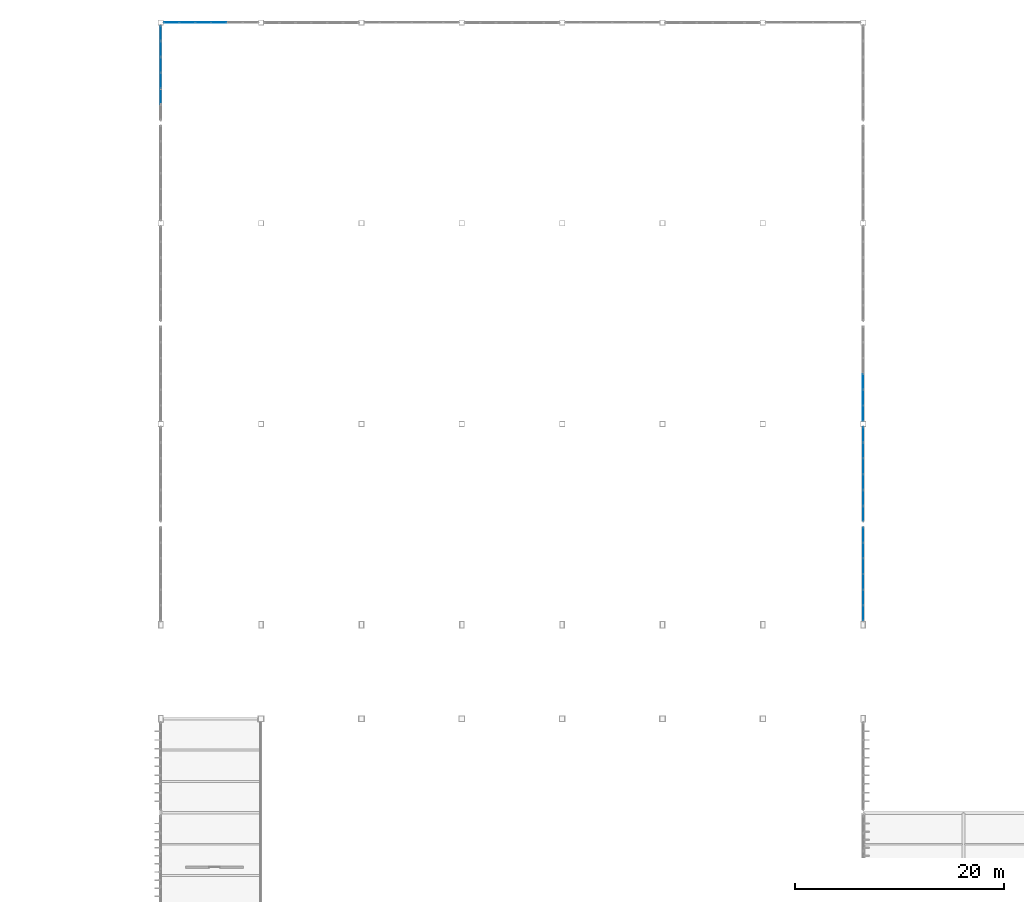
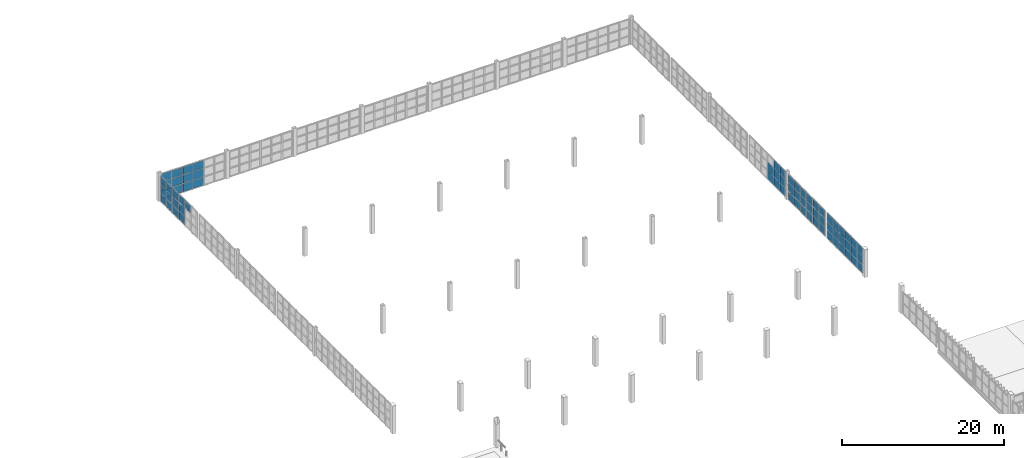
# One storey, part 56 of 82: 69 plates, 5 elements without a shape of their own.
"""IFC4 building model written with IfcOpenShell, lengths in metres."""

from ifc_helpers import new_model, si_unit, direction, frame, origin, origin_2d, place, context, subcontext, project, spatial, rectangle, extrude, material, layer, layer_set, type_object, element, aggregate, save


model = new_model("IFC4")

# Units and contexts
model_context = context("Model", 3, precision=1e-05, world=origin(), true_north=direction((0.0, 1.0)))
body_context = subcontext(model_context, "Body", "Model", "MODEL_VIEW")
ifc_project = project(units=[si_unit("LENGTHUNIT", "METRE"), si_unit("AREAUNIT", "SQUARE_METRE"), si_unit("VOLUMEUNIT", "CUBIC_METRE"), si_unit("PLANEANGLEUNIT", "RADIAN"), si_unit("MASSUNIT", "GRAM", prefix="KILO")], contexts=[model_context])

# Site, building, storey
site_placement = place(None, origin())
site = spatial("IfcSite", under=ifc_project, at=site_placement, CompositionType="ELEMENT")
building_placement = place(site_placement, origin())
building = spatial("IfcBuilding", under=site, at=building_placement, Name="Zarnetskaya Central Station", CompositionType="ELEMENT")
storey_placement = place(building_placement, frame((0.0, 0.0, 10.199951171875)))
storey = spatial("IfcBuildingStorey", under=building, at=storey_placement, Name="L02", CompositionType="ELEMENT", Elevation=10.199951171875)

# Curtain wall, plates
ifc_material = material(Name="Low-E insulated glass", Category="glass")
ifc_layer_1 = layer(ifc_material, 0.1640625, Name="Low-E insulated glass", Category="glass")
ifc_layer_set_1 = layer_set([ifc_layer_1], Name="Low-E insulated glass")
curtain_wall_type = type_object("IfcCurtainWallType", Name="CW-SYS-12", PredefinedType="USERDEFINED", material=ifc_layer_set_1)
curtain_wall_1_placement = place(storey_placement, origin())
curtain_wall_1 = element("IfcCurtainWall", 1, at=curtain_wall_1_placement, inside=storey, type_object=curtain_wall_type, Name="Curtain wall CW-L02-180", ObjectType="CURTAIN WALL", PredefinedType="USERDEFINED")
ifc_layer_2 = layer(ifc_material, 0.028076171875, Name="Low-E insulated glass", Category="glass")
ifc_layer_set_2 = layer_set([ifc_layer_2], Name="Low-E insulated glass")
plate_type_1 = type_object("IfcPlateType", Name="CW-PAN-28", PredefinedType="CURTAIN_PANEL", material=ifc_layer_set_2)
plate_1_placement = place(storey_placement, frame((124.800048828125, 85.37158203125, 0.080078125), z_axis=(0.0, 0.0, 1.0), x_axis=(0.0, -1.0, 0.0)))
plate_1 = element("IfcPlate", 2, at=plate_1_placement, type_object=plate_type_1, Name="CW-18 panel 1.1", PredefinedType="CURTAIN_PANEL", context=body_context, shape_type="SweptSolid", body=[
    extrude(rectangle(XDim=1.396728515625, YDim=0.028076171875, at=origin_2d()), origin(), (0.0, 0.0, 1.0), 1.2060546875),
])
plate_2_placement = place(storey_placement, frame((124.800048828125, 85.37158203125, 1.365966796875), z_axis=(0.0, 0.0, 1.0), x_axis=(0.0, -1.0, 0.0)))
plate_2 = element("IfcPlate", 3, at=plate_2_placement, type_object=plate_type_1, Name="CW-18 panel 1.2", PredefinedType="CURTAIN_PANEL", context=body_context, shape_type="SweptSolid", body=[
    extrude(rectangle(XDim=1.396728515625, YDim=0.028076171875, at=origin_2d()), origin(), (0.0, 0.0, 1.0), 1.24609375),
])
plate_3_placement = place(storey_placement, frame((124.800048828125, 85.37158203125, 2.692138671875), z_axis=(0.0, 0.0, 1.0), x_axis=(0.0, -1.0, 0.0)))
plate_3 = element("IfcPlate", 4, at=plate_3_placement, type_object=plate_type_1, Name="CW-18 panel 1.3", PredefinedType="CURTAIN_PANEL", context=body_context, shape_type="SweptSolid", body=[
    extrude(rectangle(XDim=1.396728515625, YDim=0.028076171875, at=origin_2d()), origin(), (0.0, 0.0, 1.0), 1.1279296875),
])
plate_4_placement = place(storey_placement, frame((124.800048828125, 83.875, 0.080078125), z_axis=(0.0, 0.0, 1.0), x_axis=(0.0, -1.0, 0.0)))
plate_4 = element("IfcPlate", 5, at=plate_4_placement, type_object=plate_type_1, Name="CW-18 panel 2.1", PredefinedType="CURTAIN_PANEL", context=body_context, shape_type="SweptSolid", body=[
    extrude(rectangle(XDim=1.436767578125, YDim=0.028076171875, at=origin_2d()), origin(), (0.0, 0.0, 1.0), 1.2060546875),
])
plate_5_placement = place(storey_placement, frame((124.800048828125, 83.875, 1.365966796875), z_axis=(0.0, 0.0, 1.0), x_axis=(0.0, -1.0, 0.0)))
plate_5 = element("IfcPlate", 6, at=plate_5_placement, type_object=plate_type_1, Name="CW-18 panel 2.2", PredefinedType="CURTAIN_PANEL", context=body_context, shape_type="SweptSolid", body=[
    extrude(rectangle(XDim=1.436767578125, YDim=0.028076171875, at=origin_2d()), origin(), (0.0, 0.0, 1.0), 1.24609375),
])
plate_6_placement = place(storey_placement, frame((124.800048828125, 83.875, 2.692138671875), z_axis=(0.0, 0.0, 1.0), x_axis=(0.0, -1.0, 0.0)))
plate_6 = element("IfcPlate", 7, at=plate_6_placement, type_object=plate_type_1, Name="CW-18 panel 2.3", PredefinedType="CURTAIN_PANEL", context=body_context, shape_type="SweptSolid", body=[
    extrude(rectangle(XDim=1.436767578125, YDim=0.028076171875, at=origin_2d()), origin(), (0.0, 0.0, 1.0), 1.1279296875),
])
plate_7_placement = place(storey_placement, frame((124.800048828125, 82.3583984375, 0.080078125), z_axis=(0.0, 0.0, 1.0), x_axis=(0.0, -1.0, 0.0)))
plate_7 = element("IfcPlate", 8, at=plate_7_placement, type_object=plate_type_1, Name="CW-18 panel 3.1", PredefinedType="CURTAIN_PANEL", context=body_context, shape_type="SweptSolid", body=[
    extrude(rectangle(XDim=1.436767578125, YDim=0.028076171875, at=origin_2d()), origin(), (0.0, 0.0, 1.0), 1.2060546875),
])
plate_8_placement = place(storey_placement, frame((124.800048828125, 82.3583984375, 1.365966796875), z_axis=(0.0, 0.0, 1.0), x_axis=(0.0, -1.0, 0.0)))
plate_8 = element("IfcPlate", 9, at=plate_8_placement, type_object=plate_type_1, Name="CW-18 panel 3.2", PredefinedType="CURTAIN_PANEL", context=body_context, shape_type="SweptSolid", body=[
    extrude(rectangle(XDim=1.436767578125, YDim=0.028076171875, at=origin_2d()), origin(), (0.0, 0.0, 1.0), 1.24609375),
])
plate_9_placement = place(storey_placement, frame((124.800048828125, 82.3583984375, 2.692138671875), z_axis=(0.0, 0.0, 1.0), x_axis=(0.0, -1.0, 0.0)))
plate_9 = element("IfcPlate", 10, at=plate_9_placement, type_object=plate_type_1, Name="CW-18 panel 3.3", PredefinedType="CURTAIN_PANEL", context=body_context, shape_type="SweptSolid", body=[
    extrude(rectangle(XDim=1.436767578125, YDim=0.028076171875, at=origin_2d()), origin(), (0.0, 0.0, 1.0), 1.1279296875),
])
plate_10_placement = place(storey_placement, frame((124.800048828125, 80.841552734375, 0.080078125), z_axis=(0.0, 0.0, 1.0), x_axis=(0.0, -1.0, 0.0)))
plate_10 = element("IfcPlate", 11, at=plate_10_placement, type_object=plate_type_1, Name="CW-18 panel 4.1", PredefinedType="CURTAIN_PANEL", context=body_context, shape_type="SweptSolid", body=[
    extrude(rectangle(XDim=1.436767578125, YDim=0.028076171875, at=origin_2d()), origin(), (0.0, 0.0, 1.0), 1.2060546875),
])
plate_11_placement = place(storey_placement, frame((124.800048828125, 80.841552734375, 1.365966796875), z_axis=(0.0, 0.0, 1.0), x_axis=(0.0, -1.0, 0.0)))
plate_11 = element("IfcPlate", 12, at=plate_11_placement, type_object=plate_type_1, Name="CW-18 panel 4.2", PredefinedType="CURTAIN_PANEL", context=body_context, shape_type="SweptSolid", body=[
    extrude(rectangle(XDim=1.436767578125, YDim=0.028076171875, at=origin_2d()), origin(), (0.0, 0.0, 1.0), 1.24609375),
])
plate_12_placement = place(storey_placement, frame((124.800048828125, 80.841552734375, 2.692138671875), z_axis=(0.0, 0.0, 1.0), x_axis=(0.0, -1.0, 0.0)))
plate_12 = element("IfcPlate", 13, at=plate_12_placement, type_object=plate_type_1, Name="CW-18 panel 4.3", PredefinedType="CURTAIN_PANEL", context=body_context, shape_type="SweptSolid", body=[
    extrude(rectangle(XDim=1.436767578125, YDim=0.028076171875, at=origin_2d()), origin(), (0.0, 0.0, 1.0), 1.1279296875),
])
plate_13_placement = place(storey_placement, frame((124.800048828125, 79.324951171875, 0.080078125), z_axis=(0.0, 0.0, 1.0), x_axis=(0.0, -1.0, 0.0)))
plate_13 = element("IfcPlate", 14, at=plate_13_placement, type_object=plate_type_1, Name="CW-18 panel 5.1", PredefinedType="CURTAIN_PANEL", context=body_context, shape_type="SweptSolid", body=[
    extrude(rectangle(XDim=1.436767578125, YDim=0.028076171875, at=origin_2d()), origin(), (0.0, 0.0, 1.0), 1.2060546875),
])
plate_14_placement = place(storey_placement, frame((124.800048828125, 79.324951171875, 1.365966796875), z_axis=(0.0, 0.0, 1.0), x_axis=(0.0, -1.0, 0.0)))
plate_14 = element("IfcPlate", 15, at=plate_14_placement, type_object=plate_type_1, Name="CW-18 panel 5.2", PredefinedType="CURTAIN_PANEL", context=body_context, shape_type="SweptSolid", body=[
    extrude(rectangle(XDim=1.436767578125, YDim=0.028076171875, at=origin_2d()), origin(), (0.0, 0.0, 1.0), 1.24609375),
])
plate_15_placement = place(storey_placement, frame((124.800048828125, 79.324951171875, 2.692138671875), z_axis=(0.0, 0.0, 1.0), x_axis=(0.0, -1.0, 0.0)))
plate_15 = element("IfcPlate", 16, at=plate_15_placement, type_object=plate_type_1, Name="CW-18 panel 5.3", PredefinedType="CURTAIN_PANEL", context=body_context, shape_type="SweptSolid", body=[
    extrude(rectangle(XDim=1.436767578125, YDim=0.028076171875, at=origin_2d()), origin(), (0.0, 0.0, 1.0), 1.1279296875),
])
plate_16_placement = place(storey_placement, frame((124.800048828125, 77.828369140625, 0.080078125), z_axis=(0.0, 0.0, 1.0), x_axis=(0.0, -1.0, 0.0)))
plate_16 = element("IfcPlate", 17, at=plate_16_placement, type_object=plate_type_1, Name="CW-18 panel 6.1", PredefinedType="CURTAIN_PANEL", context=body_context, shape_type="SweptSolid", body=[
    extrude(rectangle(XDim=1.396728515625, YDim=0.028076171875, at=origin_2d()), origin(), (0.0, 0.0, 1.0), 1.2060546875),
])
plate_17_placement = place(storey_placement, frame((124.800048828125, 77.828369140625, 1.365966796875), z_axis=(0.0, 0.0, 1.0), x_axis=(0.0, -1.0, 0.0)))
plate_17 = element("IfcPlate", 18, at=plate_17_placement, type_object=plate_type_1, Name="CW-18 panel 6.2", PredefinedType="CURTAIN_PANEL", context=body_context, shape_type="SweptSolid", body=[
    extrude(rectangle(XDim=1.396728515625, YDim=0.028076171875, at=origin_2d()), origin(), (0.0, 0.0, 1.0), 1.24609375),
])
plate_18_placement = place(storey_placement, frame((124.800048828125, 77.828369140625, 2.692138671875), z_axis=(0.0, 0.0, 1.0), x_axis=(0.0, -1.0, 0.0)))
plate_18 = element("IfcPlate", 19, at=plate_18_placement, type_object=plate_type_1, Name="CW-18 panel 6.3", PredefinedType="CURTAIN_PANEL", context=body_context, shape_type="SweptSolid", body=[
    extrude(rectangle(XDim=1.396728515625, YDim=0.028076171875, at=origin_2d()), origin(), (0.0, 0.0, 1.0), 1.1279296875),
])
aggregate(curtain_wall_1, [plate_1, plate_2, plate_3, plate_4, plate_5, plate_6, plate_7, plate_8, plate_9, plate_10, plate_11, plate_12, plate_13, plate_14, plate_15, plate_16, plate_17, plate_18])

curtain_wall_2_placement = place(storey_placement, origin())
curtain_wall_2 = element("IfcCurtainWall", 20, at=curtain_wall_2_placement, inside=storey, type_object=curtain_wall_type, Name="Curtain wall CW-L02-181", ObjectType="CURTAIN WALL", PredefinedType="USERDEFINED")
ifc_layer_3 = layer(ifc_material, 0.031982421875, Name="Low-E insulated glass", Category="glass")
ifc_layer_set_3 = layer_set([ifc_layer_3], Name="Low-E insulated glass")
plate_type_2 = type_object("IfcPlateType", Name="CW-PAN-32", PredefinedType="CURTAIN_PANEL", material=ifc_layer_set_3)
plate_19_placement = place(storey_placement, frame((124.800048828125, 75.782470703125, 0.0703125), z_axis=(0.0, 0.0, 1.0), x_axis=(0.0, -1.0, 0.0)))
plate_19 = element("IfcPlate", 21, at=plate_19_placement, type_object=plate_type_2, Name="CW-18 panel 1.1", PredefinedType="CURTAIN_PANEL", context=body_context, shape_type="SweptSolid", body=[
    extrude(rectangle(XDim=1.39501953125, YDim=0.031982421875, at=origin_2d()), origin(), (0.0, 0.0, 1.0), 1.220947265625),
])
plate_20_placement = place(storey_placement, frame((124.800048828125, 75.782470703125, 1.36083984375), z_axis=(0.0, 0.0, 1.0), x_axis=(0.0, -1.0, 0.0)))
plate_20 = element("IfcPlate", 22, at=plate_20_placement, type_object=plate_type_2, Name="CW-18 panel 1.2", PredefinedType="CURTAIN_PANEL", context=body_context, shape_type="SweptSolid", body=[
    extrude(rectangle(XDim=1.39501953125, YDim=0.031982421875, at=origin_2d()), origin(), (0.0, 0.0, 1.0), 1.256103515625),
])
plate_21_placement = place(storey_placement, frame((124.800048828125, 75.782470703125, 2.68701171875), z_axis=(0.0, 0.0, 1.0), x_axis=(0.0, -1.0, 0.0)))
plate_21 = element("IfcPlate", 23, at=plate_21_placement, type_object=plate_type_2, Name="CW-18 panel 1.3", PredefinedType="CURTAIN_PANEL", context=body_context, shape_type="SweptSolid", body=[
    extrude(rectangle(XDim=1.39501953125, YDim=0.031982421875, at=origin_2d()), origin(), (0.0, 0.0, 1.0), 1.14306640625),
])
plate_22_placement = place(storey_placement, frame((124.800048828125, 74.300048828125, 0.0703125), z_axis=(0.0, 0.0, 1.0), x_axis=(0.0, -1.0, 0.0)))
plate_22 = element("IfcPlate", 24, at=plate_22_placement, type_object=plate_type_2, Name="CW-18 panel 2.1", PredefinedType="CURTAIN_PANEL", context=body_context, shape_type="SweptSolid", body=[
    extrude(rectangle(XDim=1.429931640625, YDim=0.031982421875, at=origin_2d()), origin(), (0.0, 0.0, 1.0), 1.220947265625),
])
plate_23_placement = place(storey_placement, frame((124.800048828125, 74.300048828125, 1.36083984375), z_axis=(0.0, 0.0, 1.0), x_axis=(0.0, -1.0, 0.0)))
plate_23 = element("IfcPlate", 25, at=plate_23_placement, type_object=plate_type_2, Name="CW-18 panel 2.2", PredefinedType="CURTAIN_PANEL", context=body_context, shape_type="SweptSolid", body=[
    extrude(rectangle(XDim=1.429931640625, YDim=0.031982421875, at=origin_2d()), origin(), (0.0, 0.0, 1.0), 1.256103515625),
])
plate_24_placement = place(storey_placement, frame((124.800048828125, 74.300048828125, 2.68701171875), z_axis=(0.0, 0.0, 1.0), x_axis=(0.0, -1.0, 0.0)))
plate_24 = element("IfcPlate", 26, at=plate_24_placement, type_object=plate_type_2, Name="CW-18 panel 2.3", PredefinedType="CURTAIN_PANEL", context=body_context, shape_type="SweptSolid", body=[
    extrude(rectangle(XDim=1.429931640625, YDim=0.031982421875, at=origin_2d()), origin(), (0.0, 0.0, 1.0), 1.14306640625),
])
plate_25_placement = place(storey_placement, frame((124.800048828125, 72.800048828125, 0.0703125), z_axis=(0.0, 0.0, 1.0), x_axis=(0.0, -1.0, 0.0)))
plate_25 = element("IfcPlate", 27, at=plate_25_placement, type_object=plate_type_2, Name="CW-18 panel 3.1", PredefinedType="CURTAIN_PANEL", context=body_context, shape_type="SweptSolid", body=[
    extrude(rectangle(XDim=1.429931640625, YDim=0.031982421875, at=origin_2d()), origin(), (0.0, 0.0, 1.0), 1.220947265625),
])
plate_26_placement = place(storey_placement, frame((124.800048828125, 72.800048828125, 1.36083984375), z_axis=(0.0, 0.0, 1.0), x_axis=(0.0, -1.0, 0.0)))
plate_26 = element("IfcPlate", 28, at=plate_26_placement, type_object=plate_type_2, Name="CW-18 panel 3.2", PredefinedType="CURTAIN_PANEL", context=body_context, shape_type="SweptSolid", body=[
    extrude(rectangle(XDim=1.429931640625, YDim=0.031982421875, at=origin_2d()), origin(), (0.0, 0.0, 1.0), 1.256103515625),
])
plate_27_placement = place(storey_placement, frame((124.800048828125, 72.800048828125, 2.68701171875), z_axis=(0.0, 0.0, 1.0), x_axis=(0.0, -1.0, 0.0)))
plate_27 = element("IfcPlate", 29, at=plate_27_placement, type_object=plate_type_2, Name="CW-18 panel 3.3", PredefinedType="CURTAIN_PANEL", context=body_context, shape_type="SweptSolid", body=[
    extrude(rectangle(XDim=1.429931640625, YDim=0.031982421875, at=origin_2d()), origin(), (0.0, 0.0, 1.0), 1.14306640625),
])
plate_28_placement = place(storey_placement, frame((124.800048828125, 71.300048828125, 0.0703125), z_axis=(0.0, 0.0, 1.0), x_axis=(0.0, -1.0, 0.0)))
plate_28 = element("IfcPlate", 30, at=plate_28_placement, type_object=plate_type_2, Name="CW-18 panel 4.1", PredefinedType="CURTAIN_PANEL", context=body_context, shape_type="SweptSolid", body=[
    extrude(rectangle(XDim=1.429931640625, YDim=0.031982421875, at=origin_2d()), origin(), (0.0, 0.0, 1.0), 1.220947265625),
])
plate_29_placement = place(storey_placement, frame((124.800048828125, 71.300048828125, 1.36083984375), z_axis=(0.0, 0.0, 1.0), x_axis=(0.0, -1.0, 0.0)))
plate_29 = element("IfcPlate", 31, at=plate_29_placement, type_object=plate_type_2, Name="CW-18 panel 4.2", PredefinedType="CURTAIN_PANEL", context=body_context, shape_type="SweptSolid", body=[
    extrude(rectangle(XDim=1.429931640625, YDim=0.031982421875, at=origin_2d()), origin(), (0.0, 0.0, 1.0), 1.256103515625),
])
plate_30_placement = place(storey_placement, frame((124.800048828125, 71.300048828125, 2.68701171875), z_axis=(0.0, 0.0, 1.0), x_axis=(0.0, -1.0, 0.0)))
plate_30 = element("IfcPlate", 32, at=plate_30_placement, type_object=plate_type_2, Name="CW-18 panel 4.3", PredefinedType="CURTAIN_PANEL", context=body_context, shape_type="SweptSolid", body=[
    extrude(rectangle(XDim=1.429931640625, YDim=0.031982421875, at=origin_2d()), origin(), (0.0, 0.0, 1.0), 1.14306640625),
])
plate_31_placement = place(storey_placement, frame((124.800048828125, 69.800048828125, 0.0703125), z_axis=(0.0, 0.0, 1.0), x_axis=(0.0, -1.0, 0.0)))
plate_31 = element("IfcPlate", 33, at=plate_31_placement, type_object=plate_type_2, Name="CW-18 panel 5.1", PredefinedType="CURTAIN_PANEL", context=body_context, shape_type="SweptSolid", body=[
    extrude(rectangle(XDim=1.429931640625, YDim=0.031982421875, at=origin_2d()), origin(), (0.0, 0.0, 1.0), 1.220947265625),
])
plate_32_placement = place(storey_placement, frame((124.800048828125, 69.800048828125, 1.36083984375), z_axis=(0.0, 0.0, 1.0), x_axis=(0.0, -1.0, 0.0)))
plate_32 = element("IfcPlate", 34, at=plate_32_placement, type_object=plate_type_2, Name="CW-18 panel 5.2", PredefinedType="CURTAIN_PANEL", context=body_context, shape_type="SweptSolid", body=[
    extrude(rectangle(XDim=1.429931640625, YDim=0.031982421875, at=origin_2d()), origin(), (0.0, 0.0, 1.0), 1.256103515625),
])
plate_33_placement = place(storey_placement, frame((124.800048828125, 69.800048828125, 2.68701171875), z_axis=(0.0, 0.0, 1.0), x_axis=(0.0, -1.0, 0.0)))
plate_33 = element("IfcPlate", 35, at=plate_33_placement, type_object=plate_type_2, Name="CW-18 panel 5.3", PredefinedType="CURTAIN_PANEL", context=body_context, shape_type="SweptSolid", body=[
    extrude(rectangle(XDim=1.429931640625, YDim=0.031982421875, at=origin_2d()), origin(), (0.0, 0.0, 1.0), 1.14306640625),
])
plate_34_placement = place(storey_placement, frame((124.800048828125, 68.3173828125, 0.0703125), z_axis=(0.0, 0.0, 1.0), x_axis=(0.0, -1.0, 0.0)))
plate_34 = element("IfcPlate", 36, at=plate_34_placement, type_object=plate_type_2, Name="CW-18 panel 6.1", PredefinedType="CURTAIN_PANEL", context=body_context, shape_type="SweptSolid", body=[
    extrude(rectangle(XDim=1.39501953125, YDim=0.031982421875, at=origin_2d()), origin(), (0.0, 0.0, 1.0), 1.220947265625),
])
plate_35_placement = place(storey_placement, frame((124.800048828125, 68.3173828125, 1.36083984375), z_axis=(0.0, 0.0, 1.0), x_axis=(0.0, -1.0, 0.0)))
plate_35 = element("IfcPlate", 37, at=plate_35_placement, type_object=plate_type_2, Name="CW-18 panel 6.2", PredefinedType="CURTAIN_PANEL", context=body_context, shape_type="SweptSolid", body=[
    extrude(rectangle(XDim=1.39501953125, YDim=0.031982421875, at=origin_2d()), origin(), (0.0, 0.0, 1.0), 1.256103515625),
])
plate_36_placement = place(storey_placement, frame((124.800048828125, 68.3173828125, 2.68701171875), z_axis=(0.0, 0.0, 1.0), x_axis=(0.0, -1.0, 0.0)))
plate_36 = element("IfcPlate", 38, at=plate_36_placement, type_object=plate_type_2, Name="CW-18 panel 6.3", PredefinedType="CURTAIN_PANEL", context=body_context, shape_type="SweptSolid", body=[
    extrude(rectangle(XDim=1.39501953125, YDim=0.031982421875, at=origin_2d()), origin(), (0.0, 0.0, 1.0), 1.14306640625),
])
aggregate(curtain_wall_2, [plate_19, plate_20, plate_21, plate_22, plate_23, plate_24, plate_25, plate_26, plate_27, plate_28, plate_29, plate_30, plate_31, plate_32, plate_33, plate_34, plate_35, plate_36])

curtain_wall_3_placement = place(storey_placement, origin())
curtain_wall_3 = element("IfcCurtainWall", 39, at=curtain_wall_3_placement, inside=storey, type_object=curtain_wall_type, Name="Curtain wall CW-L02-168", ObjectType="CURTAIN WALL", PredefinedType="USERDEFINED")
ifc_layer_4 = layer(ifc_material, 0.0400390625, Name="Low-E insulated glass", Category="glass")
ifc_layer_set_4 = layer_set([ifc_layer_4], Name="Low-E insulated glass")
plate_type_3 = type_object("IfcPlateType", Name="CW-PAN-40", PredefinedType="CURTAIN_PANEL", material=ifc_layer_set_4)
plate_37_placement = place(storey_placement, frame((57.60009765625, 117.72509765625, 2.692138671875), z_axis=(0.0, 0.0, 1.0), x_axis=(0.0, 1.0, 0.0)))
plate_37 = element("IfcPlate", 40, at=plate_37_placement, type_object=plate_type_3, Name="CW-18 panel 2.3", PredefinedType="CURTAIN_PANEL", context=body_context, shape_type="SweptSolid", body=[
    extrude(rectangle(XDim=1.436767578125, YDim=0.0400390625, at=origin_2d()), origin(), (0.0, 0.0, 1.0), 1.1279296875),
])
plate_38_placement = place(storey_placement, frame((57.60009765625, 119.24169921875, 0.080078125), z_axis=(0.0, 0.0, 1.0), x_axis=(0.0, 1.0, 0.0)))
plate_38 = element("IfcPlate", 41, at=plate_38_placement, type_object=plate_type_3, Name="CW-18 panel 3.1", PredefinedType="CURTAIN_PANEL", context=body_context, shape_type="SweptSolid", body=[
    extrude(rectangle(XDim=1.436767578125, YDim=0.0400390625, at=origin_2d()), origin(), (0.0, 0.0, 1.0), 1.2060546875),
])
plate_39_placement = place(storey_placement, frame((57.60009765625, 119.24169921875, 1.365966796875), z_axis=(0.0, 0.0, 1.0), x_axis=(0.0, 1.0, 0.0)))
plate_39 = element("IfcPlate", 42, at=plate_39_placement, type_object=plate_type_3, Name="CW-18 panel 3.2", PredefinedType="CURTAIN_PANEL", context=body_context, shape_type="SweptSolid", body=[
    extrude(rectangle(XDim=1.436767578125, YDim=0.0400390625, at=origin_2d()), origin(), (0.0, 0.0, 1.0), 1.24609375),
])
plate_40_placement = place(storey_placement, frame((57.60009765625, 119.24169921875, 2.692138671875), z_axis=(0.0, 0.0, 1.0), x_axis=(0.0, 1.0, 0.0)))
plate_40 = element("IfcPlate", 43, at=plate_40_placement, type_object=plate_type_3, Name="CW-18 panel 3.3", PredefinedType="CURTAIN_PANEL", context=body_context, shape_type="SweptSolid", body=[
    extrude(rectangle(XDim=1.436767578125, YDim=0.0400390625, at=origin_2d()), origin(), (0.0, 0.0, 1.0), 1.1279296875),
])
plate_41_placement = place(storey_placement, frame((57.60009765625, 120.75830078125, 0.080078125), z_axis=(0.0, 0.0, 1.0), x_axis=(0.0, 1.0, 0.0)))
plate_41 = element("IfcPlate", 44, at=plate_41_placement, type_object=plate_type_3, Name="CW-18 panel 4.1", PredefinedType="CURTAIN_PANEL", context=body_context, shape_type="SweptSolid", body=[
    extrude(rectangle(XDim=1.436767578125, YDim=0.0400390625, at=origin_2d()), origin(), (0.0, 0.0, 1.0), 1.2060546875),
])
plate_42_placement = place(storey_placement, frame((57.60009765625, 120.75830078125, 1.365966796875), z_axis=(0.0, 0.0, 1.0), x_axis=(0.0, 1.0, 0.0)))
plate_42 = element("IfcPlate", 45, at=plate_42_placement, type_object=plate_type_3, Name="CW-18 panel 4.2", PredefinedType="CURTAIN_PANEL", context=body_context, shape_type="SweptSolid", body=[
    extrude(rectangle(XDim=1.436767578125, YDim=0.0400390625, at=origin_2d()), origin(), (0.0, 0.0, 1.0), 1.24609375),
])
plate_43_placement = place(storey_placement, frame((57.60009765625, 120.75830078125, 2.692138671875), z_axis=(0.0, 0.0, 1.0), x_axis=(0.0, 1.0, 0.0)))
plate_43 = element("IfcPlate", 46, at=plate_43_placement, type_object=plate_type_3, Name="CW-18 panel 4.3", PredefinedType="CURTAIN_PANEL", context=body_context, shape_type="SweptSolid", body=[
    extrude(rectangle(XDim=1.436767578125, YDim=0.0400390625, at=origin_2d()), origin(), (0.0, 0.0, 1.0), 1.1279296875),
])
plate_44_placement = place(storey_placement, frame((57.60009765625, 122.27490234375, 0.080078125), z_axis=(0.0, 0.0, 1.0), x_axis=(0.0, 1.0, 0.0)))
plate_44 = element("IfcPlate", 47, at=plate_44_placement, type_object=plate_type_3, Name="CW-18 panel 5.1", PredefinedType="CURTAIN_PANEL", context=body_context, shape_type="SweptSolid", body=[
    extrude(rectangle(XDim=1.436767578125, YDim=0.0400390625, at=origin_2d()), origin(), (0.0, 0.0, 1.0), 1.2060546875),
])
plate_45_placement = place(storey_placement, frame((57.60009765625, 122.27490234375, 1.365966796875), z_axis=(0.0, 0.0, 1.0), x_axis=(0.0, 1.0, 0.0)))
plate_45 = element("IfcPlate", 48, at=plate_45_placement, type_object=plate_type_3, Name="CW-18 panel 5.2", PredefinedType="CURTAIN_PANEL", context=body_context, shape_type="SweptSolid", body=[
    extrude(rectangle(XDim=1.436767578125, YDim=0.0400390625, at=origin_2d()), origin(), (0.0, 0.0, 1.0), 1.24609375),
])
plate_46_placement = place(storey_placement, frame((57.60009765625, 122.27490234375, 2.692138671875), z_axis=(0.0, 0.0, 1.0), x_axis=(0.0, 1.0, 0.0)))
plate_46 = element("IfcPlate", 49, at=plate_46_placement, type_object=plate_type_3, Name="CW-18 panel 5.3", PredefinedType="CURTAIN_PANEL", context=body_context, shape_type="SweptSolid", body=[
    extrude(rectangle(XDim=1.436767578125, YDim=0.0400390625, at=origin_2d()), origin(), (0.0, 0.0, 1.0), 1.1279296875),
])
plate_47_placement = place(storey_placement, frame((57.60009765625, 123.771728515625, 0.080078125), z_axis=(0.0, 0.0, 1.0), x_axis=(0.0, 1.0, 0.0)))
plate_47 = element("IfcPlate", 50, at=plate_47_placement, type_object=plate_type_3, Name="CW-18 panel 6.1", PredefinedType="CURTAIN_PANEL", context=body_context, shape_type="SweptSolid", body=[
    extrude(rectangle(XDim=1.396728515625, YDim=0.0400390625, at=origin_2d()), origin(), (0.0, 0.0, 1.0), 1.2060546875),
])
plate_48_placement = place(storey_placement, frame((57.60009765625, 123.771728515625, 1.365966796875), z_axis=(0.0, 0.0, 1.0), x_axis=(0.0, 1.0, 0.0)))
plate_48 = element("IfcPlate", 51, at=plate_48_placement, type_object=plate_type_3, Name="CW-18 panel 6.2", PredefinedType="CURTAIN_PANEL", context=body_context, shape_type="SweptSolid", body=[
    extrude(rectangle(XDim=1.396728515625, YDim=0.0400390625, at=origin_2d()), origin(), (0.0, 0.0, 1.0), 1.24609375),
])
plate_49_placement = place(storey_placement, frame((57.60009765625, 123.771728515625, 2.692138671875), z_axis=(0.0, 0.0, 1.0), x_axis=(0.0, 1.0, 0.0)))
plate_49 = element("IfcPlate", 52, at=plate_49_placement, type_object=plate_type_3, Name="CW-18 panel 6.3", PredefinedType="CURTAIN_PANEL", context=body_context, shape_type="SweptSolid", body=[
    extrude(rectangle(XDim=1.396728515625, YDim=0.0400390625, at=origin_2d()), origin(), (0.0, 0.0, 1.0), 1.1279296875),
])
aggregate(curtain_wall_3, [plate_37, plate_38, plate_39, plate_40, plate_41, plate_42, plate_43, plate_44, plate_45, plate_46, plate_47, plate_48, plate_49])

curtain_wall_4_placement = place(storey_placement, origin())
curtain_wall_4 = element("IfcCurtainWall", 53, at=curtain_wall_4_placement, inside=storey, type_object=curtain_wall_type, Name="Curtain wall CW-L02-169", ObjectType="CURTAIN WALL", PredefinedType="USERDEFINED")
ifc_layer_5 = layer(ifc_material, 0.0439453125, Name="Low-E insulated glass", Category="glass")
ifc_layer_set_5 = layer_set([ifc_layer_5], Name="Low-E insulated glass")
plate_type_4 = type_object("IfcPlateType", Name="CW-PAN-44", PredefinedType="CURTAIN_PANEL", material=ifc_layer_set_5)
plate_50_placement = place(storey_placement, frame((58.625732421875, 124.800048828125, 0.0703125), z_axis=(0.0, 0.0, 1.0), x_axis=(1.0, 0.0, 0.0)))
plate_50 = element("IfcPlate", 54, at=plate_50_placement, type_object=plate_type_4, Name="CW-18 panel 1.1", PredefinedType="CURTAIN_PANEL", context=body_context, shape_type="SweptSolid", body=[
    extrude(rectangle(XDim=1.41162109375, YDim=0.0439453125, at=origin_2d()), origin(), (0.0, 0.0, 1.0), 1.220947265625),
])
plate_51_placement = place(storey_placement, frame((58.625732421875, 124.800048828125, 1.36083984375), z_axis=(0.0, 0.0, 1.0), x_axis=(1.0, 0.0, 0.0)))
plate_51 = element("IfcPlate", 55, at=plate_51_placement, type_object=plate_type_4, Name="CW-18 panel 1.2", PredefinedType="CURTAIN_PANEL", context=body_context, shape_type="SweptSolid", body=[
    extrude(rectangle(XDim=1.41162109375, YDim=0.0439453125, at=origin_2d()), origin(), (0.0, 0.0, 1.0), 1.256103515625),
])
plate_52_placement = place(storey_placement, frame((58.625732421875, 124.800048828125, 2.68701171875), z_axis=(0.0, 0.0, 1.0), x_axis=(1.0, 0.0, 0.0)))
plate_52 = element("IfcPlate", 56, at=plate_52_placement, type_object=plate_type_4, Name="CW-18 panel 1.3", PredefinedType="CURTAIN_PANEL", context=body_context, shape_type="SweptSolid", body=[
    extrude(rectangle(XDim=1.41162109375, YDim=0.0439453125, at=origin_2d()), origin(), (0.0, 0.0, 1.0), 1.14306640625),
])
plate_53_placement = place(storey_placement, frame((60.125, 124.800048828125, 0.0703125), z_axis=(0.0, 0.0, 1.0), x_axis=(1.0, 0.0, 0.0)))
plate_53 = element("IfcPlate", 57, at=plate_53_placement, type_object=plate_type_4, Name="CW-18 panel 2.1", PredefinedType="CURTAIN_PANEL", context=body_context, shape_type="SweptSolid", body=[
    extrude(rectangle(XDim=1.44677734375, YDim=0.0439453125, at=origin_2d()), origin(), (0.0, 0.0, 1.0), 1.220947265625),
])
plate_54_placement = place(storey_placement, frame((60.125, 124.800048828125, 1.36083984375), z_axis=(0.0, 0.0, 1.0), x_axis=(1.0, 0.0, 0.0)))
plate_54 = element("IfcPlate", 58, at=plate_54_placement, type_object=plate_type_4, Name="CW-18 panel 2.2", PredefinedType="CURTAIN_PANEL", context=body_context, shape_type="SweptSolid", body=[
    extrude(rectangle(XDim=1.44677734375, YDim=0.0439453125, at=origin_2d()), origin(), (0.0, 0.0, 1.0), 1.256103515625),
])
plate_55_placement = place(storey_placement, frame((60.125, 124.800048828125, 2.68701171875), z_axis=(0.0, 0.0, 1.0), x_axis=(1.0, 0.0, 0.0)))
plate_55 = element("IfcPlate", 59, at=plate_55_placement, type_object=plate_type_4, Name="CW-18 panel 2.3", PredefinedType="CURTAIN_PANEL", context=body_context, shape_type="SweptSolid", body=[
    extrude(rectangle(XDim=1.44677734375, YDim=0.0439453125, at=origin_2d()), origin(), (0.0, 0.0, 1.0), 1.14306640625),
])
plate_56_placement = place(storey_placement, frame((61.6416015625, 124.800048828125, 0.0703125), z_axis=(0.0, 0.0, 1.0), x_axis=(1.0, 0.0, 0.0)))
plate_56 = element("IfcPlate", 60, at=plate_56_placement, type_object=plate_type_4, Name="CW-18 panel 3.1", PredefinedType="CURTAIN_PANEL", context=body_context, shape_type="SweptSolid", body=[
    extrude(rectangle(XDim=1.44677734375, YDim=0.0439453125, at=origin_2d()), origin(), (0.0, 0.0, 1.0), 1.220947265625),
])
plate_57_placement = place(storey_placement, frame((61.6416015625, 124.800048828125, 1.36083984375), z_axis=(0.0, 0.0, 1.0), x_axis=(1.0, 0.0, 0.0)))
plate_57 = element("IfcPlate", 61, at=plate_57_placement, type_object=plate_type_4, Name="CW-18 panel 3.2", PredefinedType="CURTAIN_PANEL", context=body_context, shape_type="SweptSolid", body=[
    extrude(rectangle(XDim=1.44677734375, YDim=0.0439453125, at=origin_2d()), origin(), (0.0, 0.0, 1.0), 1.256103515625),
])
plate_58_placement = place(storey_placement, frame((61.6416015625, 124.800048828125, 2.68701171875), z_axis=(0.0, 0.0, 1.0), x_axis=(1.0, 0.0, 0.0)))
plate_58 = element("IfcPlate", 62, at=plate_58_placement, type_object=plate_type_4, Name="CW-18 panel 3.3", PredefinedType="CURTAIN_PANEL", context=body_context, shape_type="SweptSolid", body=[
    extrude(rectangle(XDim=1.44677734375, YDim=0.0439453125, at=origin_2d()), origin(), (0.0, 0.0, 1.0), 1.14306640625),
])
plate_59_placement = place(storey_placement, frame((63.158447265625, 124.800048828125, 0.0703125), z_axis=(0.0, 0.0, 1.0), x_axis=(1.0, 0.0, 0.0)))
plate_59 = element("IfcPlate", 63, at=plate_59_placement, type_object=plate_type_4, Name="CW-18 panel 4.1", PredefinedType="CURTAIN_PANEL", context=body_context, shape_type="SweptSolid", body=[
    extrude(rectangle(XDim=1.44677734375, YDim=0.0439453125, at=origin_2d()), origin(), (0.0, 0.0, 1.0), 1.220947265625),
])
plate_60_placement = place(storey_placement, frame((63.158447265625, 124.800048828125, 1.36083984375), z_axis=(0.0, 0.0, 1.0), x_axis=(1.0, 0.0, 0.0)))
plate_60 = element("IfcPlate", 64, at=plate_60_placement, type_object=plate_type_4, Name="CW-18 panel 4.2", PredefinedType="CURTAIN_PANEL", context=body_context, shape_type="SweptSolid", body=[
    extrude(rectangle(XDim=1.44677734375, YDim=0.0439453125, at=origin_2d()), origin(), (0.0, 0.0, 1.0), 1.256103515625),
])
plate_61_placement = place(storey_placement, frame((63.158447265625, 124.800048828125, 2.68701171875), z_axis=(0.0, 0.0, 1.0), x_axis=(1.0, 0.0, 0.0)))
plate_61 = element("IfcPlate", 65, at=plate_61_placement, type_object=plate_type_4, Name="CW-18 panel 4.3", PredefinedType="CURTAIN_PANEL", context=body_context, shape_type="SweptSolid", body=[
    extrude(rectangle(XDim=1.44677734375, YDim=0.0439453125, at=origin_2d()), origin(), (0.0, 0.0, 1.0), 1.14306640625),
])
aggregate(curtain_wall_4, [plate_50, plate_51, plate_52, plate_53, plate_54, plate_55, plate_56, plate_57, plate_58, plate_59, plate_60, plate_61])

curtain_wall_5_placement = place(storey_placement, origin())
curtain_wall_5 = element("IfcCurtainWall", 66, at=curtain_wall_5_placement, inside=storey, type_object=curtain_wall_type, Name="Curtain wall CW-L02-179", ObjectType="CURTAIN WALL", PredefinedType="USERDEFINED")
plate_62_placement = place(storey_placement, frame((124.800048828125, 90.441650390625, 0.0703125), z_axis=(0.0, 0.0, 1.0), x_axis=(0.0, -1.0, 0.0)))
plate_62 = element("IfcPlate", 67, at=plate_62_placement, type_object=plate_type_4, Name="CW-18 panel 4.1", PredefinedType="CURTAIN_PANEL", context=body_context, shape_type="SweptSolid", body=[
    extrude(rectangle(XDim=1.44677734375, YDim=0.0439453125, at=origin_2d()), origin(), (0.0, 0.0, 1.0), 1.220947265625),
])
plate_63_placement = place(storey_placement, frame((124.800048828125, 90.441650390625, 1.36083984375), z_axis=(0.0, 0.0, 1.0), x_axis=(0.0, -1.0, 0.0)))
plate_63 = element("IfcPlate", 68, at=plate_63_placement, type_object=plate_type_4, Name="CW-18 panel 4.2", PredefinedType="CURTAIN_PANEL", context=body_context, shape_type="SweptSolid", body=[
    extrude(rectangle(XDim=1.44677734375, YDim=0.0439453125, at=origin_2d()), origin(), (0.0, 0.0, 1.0), 1.256103515625),
])
plate_64_placement = place(storey_placement, frame((124.800048828125, 88.925048828125, 0.0703125), z_axis=(0.0, 0.0, 1.0), x_axis=(0.0, -1.0, 0.0)))
plate_64 = element("IfcPlate", 69, at=plate_64_placement, type_object=plate_type_4, Name="CW-18 panel 5.1", PredefinedType="CURTAIN_PANEL", context=body_context, shape_type="SweptSolid", body=[
    extrude(rectangle(XDim=1.44677734375, YDim=0.0439453125, at=origin_2d()), origin(), (0.0, 0.0, 1.0), 1.220947265625),
])
plate_65_placement = place(storey_placement, frame((124.800048828125, 88.925048828125, 1.36083984375), z_axis=(0.0, 0.0, 1.0), x_axis=(0.0, -1.0, 0.0)))
plate_65 = element("IfcPlate", 70, at=plate_65_placement, type_object=plate_type_4, Name="CW-18 panel 5.2", PredefinedType="CURTAIN_PANEL", context=body_context, shape_type="SweptSolid", body=[
    extrude(rectangle(XDim=1.44677734375, YDim=0.0439453125, at=origin_2d()), origin(), (0.0, 0.0, 1.0), 1.256103515625),
])
plate_66_placement = place(storey_placement, frame((124.800048828125, 88.925048828125, 2.68701171875), z_axis=(0.0, 0.0, 1.0), x_axis=(0.0, -1.0, 0.0)))
plate_66 = element("IfcPlate", 71, at=plate_66_placement, type_object=plate_type_4, Name="CW-18 panel 5.3", PredefinedType="CURTAIN_PANEL", context=body_context, shape_type="SweptSolid", body=[
    extrude(rectangle(XDim=1.44677734375, YDim=0.0439453125, at=origin_2d()), origin(), (0.0, 0.0, 1.0), 1.14306640625),
])
plate_67_placement = place(storey_placement, frame((124.800048828125, 87.42578125, 0.0703125), z_axis=(0.0, 0.0, 1.0), x_axis=(0.0, -1.0, 0.0)))
plate_67 = element("IfcPlate", 72, at=plate_67_placement, type_object=plate_type_4, Name="CW-18 panel 6.1", PredefinedType="CURTAIN_PANEL", context=body_context, shape_type="SweptSolid", body=[
    extrude(rectangle(XDim=1.41162109375, YDim=0.0439453125, at=origin_2d()), origin(), (0.0, 0.0, 1.0), 1.220947265625),
])
plate_68_placement = place(storey_placement, frame((124.800048828125, 87.42578125, 1.36083984375), z_axis=(0.0, 0.0, 1.0), x_axis=(0.0, -1.0, 0.0)))
plate_68 = element("IfcPlate", 73, at=plate_68_placement, type_object=plate_type_4, Name="CW-18 panel 6.2", PredefinedType="CURTAIN_PANEL", context=body_context, shape_type="SweptSolid", body=[
    extrude(rectangle(XDim=1.41162109375, YDim=0.0439453125, at=origin_2d()), origin(), (0.0, 0.0, 1.0), 1.256103515625),
])
plate_69_placement = place(storey_placement, frame((124.800048828125, 87.42578125, 2.68701171875), z_axis=(0.0, 0.0, 1.0), x_axis=(0.0, -1.0, 0.0)))
plate_69 = element("IfcPlate", 74, at=plate_69_placement, type_object=plate_type_4, Name="CW-18 panel 6.3", PredefinedType="CURTAIN_PANEL", context=body_context, shape_type="SweptSolid", body=[
    extrude(rectangle(XDim=1.41162109375, YDim=0.0439453125, at=origin_2d()), origin(), (0.0, 0.0, 1.0), 1.14306640625),
])
aggregate(curtain_wall_5, [plate_62, plate_63, plate_64, plate_65, plate_66, plate_67, plate_68, plate_69])

save(model, "model.ifc")
